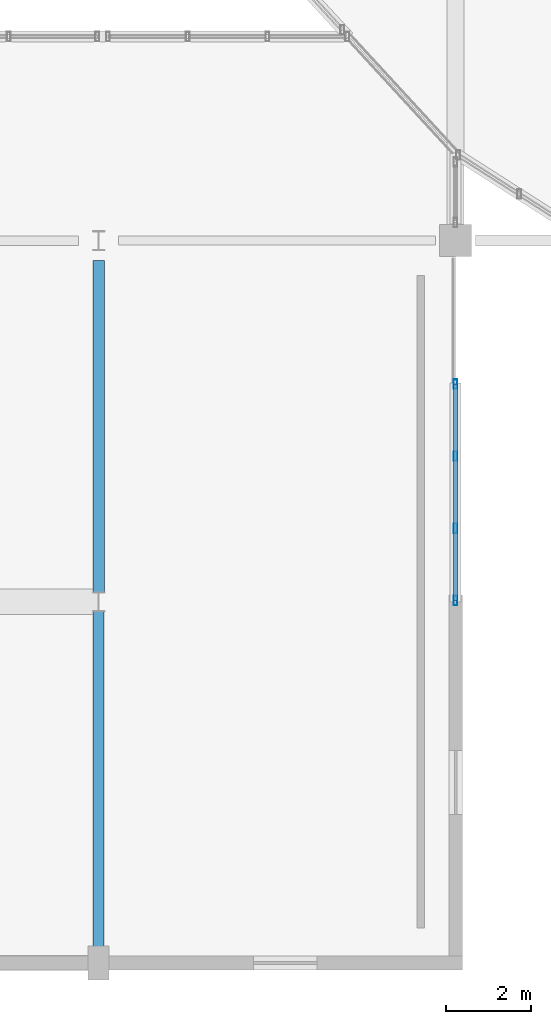
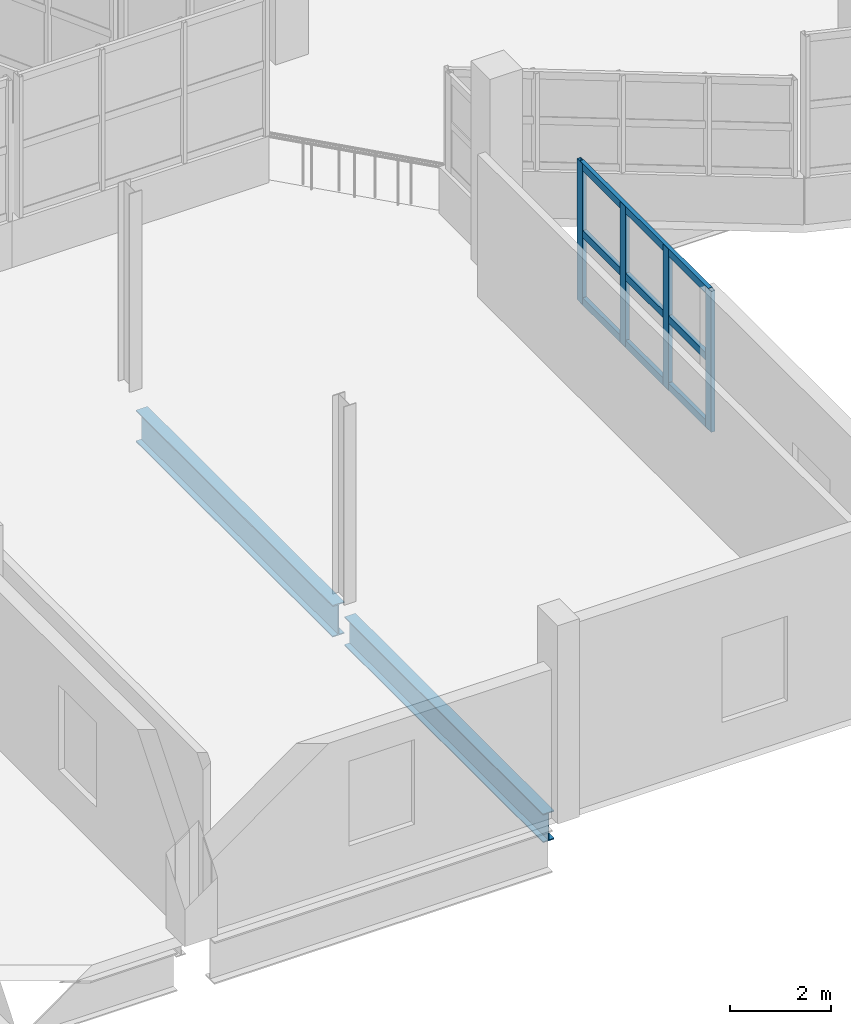
# One storey, part 8 of 117: 7 members, 2 beams, 1 element without a shape of its own.
"""IFC4 building model written with IfcOpenShell, lengths in metres."""

from ifc_helpers import new_model, si_unit, direction, frame, origin, origin_2d, place, context, subcontext, project, spatial, hollow_rectangle, i_section, extrude, material, material_profile, profile_set, type_object, element, aggregate, save


model = new_model("IFC4")

# Units and contexts
model_context = context("Model", 3, precision=1e-05, world=origin(), true_north=direction((0.0, 1.0)))
body_context = subcontext(model_context, "Body", "Model", "MODEL_VIEW")
ifc_project = project(units=[si_unit("LENGTHUNIT", "METRE"), si_unit("AREAUNIT", "SQUARE_METRE"), si_unit("VOLUMEUNIT", "CUBIC_METRE"), si_unit("PLANEANGLEUNIT", "RADIAN"), si_unit("MASSUNIT", "GRAM", prefix="KILO")], contexts=[model_context])

# Site, building, storey
site_placement = place(None, origin())
site = spatial("IfcSite", under=ifc_project, at=site_placement, CompositionType="ELEMENT")
building_placement = place(site_placement, origin())
building = spatial("IfcBuilding", under=site, at=building_placement, Name="Solvento Point Concert Hall", CompositionType="ELEMENT")
storey_placement = place(building_placement, frame((0.0, 0.0, 5.39990234375)))
storey = spatial("IfcBuildingStorey", under=building, at=storey_placement, Name="L01", CompositionType="ELEMENT", Elevation=5.39990234375)

# Beams
ifc_material_1 = material(Name="Structural Steel ASTM A992 Grade 50", Category="steel")
ifc_material_profile_1 = material_profile(ifc_material_1, i_section(OverallWidth=0.256103515625, OverallDepth=0.693115234375, WebThickness=0.014404296875, FlangeThickness=0.023681640625, at=origin_2d()), Name="W27X114")
ifc_profile_set_1 = profile_set([ifc_material_profile_1], Name="Structural Steel ASTM A992 Grade 50")
beam_type_1 = type_object("IfcBeamType", Name="Girder_W27X114", PredefinedType="USERDEFINED", material=ifc_profile_set_1)
beam_1_placement = place(storey_placement, frame((32.39990234375, 0.39404296875, -0.63037109375), z_axis=(0.0, 1.0, 0.0), x_axis=(-1.0, 0.0, 0.0)))
element("IfcBeam", 1, at=beam_1_placement, inside=storey, type_object=beam_type_1, Name="Primary girder B-23 L01", ObjectType="GIRDER", PredefinedType="USERDEFINED", context=body_context, shape_type="SweptSolid", body=[
    extrude(i_section(OverallWidth=0.256103515625, OverallDepth=0.693115234375, WebThickness=0.014404296875, FlangeThickness=0.023681640625, at=origin_2d()), origin(), (0.0, 0.0, 1.0), 7.88037109375),
])
ifc_material_2 = material(Name="Structural Steel ASTM A992 Grade 50", Category="steel")
ifc_material_profile_2 = material_profile(ifc_material_2, i_section(OverallWidth=0.26806640625, OverallDepth=0.77001953125, WebThickness=0.015625, FlangeThickness=0.025390625, at=origin_2d()), Name="W30X132")
ifc_profile_set_2 = profile_set([ifc_material_profile_2], Name="Structural Steel ASTM A992 Grade 50")
beam_type_2 = type_object("IfcBeamType", Name="Girder_W30X132", PredefinedType="USERDEFINED", material=ifc_profile_set_2)
beam_2_placement = place(storey_placement, frame((32.39990234375, 8.7255859375, -0.6689453125), z_axis=(0.0, 1.0, 0.0), x_axis=(-1.0, 0.0, 0.0)))
element("IfcBeam", 2, at=beam_2_placement, inside=storey, type_object=beam_type_2, Name="Primary girder B-68 L01", ObjectType="GIRDER", PredefinedType="USERDEFINED", context=body_context, shape_type="SweptSolid", body=[
    extrude(i_section(OverallWidth=0.26806640625, OverallDepth=0.77001953125, WebThickness=0.015625, FlangeThickness=0.025390625, at=origin_2d()), origin(), (0.0, 0.0, 1.0), 7.805419921875),
])

# Curtain wall, members
ifc_material_3 = material(Name="Anodized Bronze Aluminium", Category="aluminium")
curtain_wall_type = type_object("IfcCurtainWallType", Name="CurtainWall_RingRibbon_L01_02", PredefinedType="USERDEFINED", material=ifc_material_3)
curtain_wall_placement = place(storey_placement, origin())
curtain_wall = element("IfcCurtainWall", 3, at=curtain_wall_placement, inside=storey, type_object=curtain_wall_type, Name="Unitised curtain wall CW-59 UCW-L01-117", ObjectType="UNITISED CURTAIN WALL", PredefinedType="USERDEFINED")
ifc_material_4 = material(Name="Anodized Bronze Aluminium", Category="aluminium")
ifc_material_profile_3 = material_profile(ifc_material_4, hollow_rectangle(XDim=0.090087890625, YDim=0.219970703125, WallThickness=0.00439453125, at=origin_2d()), Name="CW-MUL-90X220")
ifc_profile_set_3 = profile_set([ifc_material_profile_3], Name="Anodized Bronze Aluminium")
member_type_1 = type_object("IfcMemberType", Name="Mullion_90x220", PredefinedType="MULLION", material=ifc_profile_set_3)
member_1_placement = place(storey_placement, frame((40.800048828125, 8.530029296875, 1.1201171875), z_axis=(0.0, 0.0, 1.0), x_axis=(1.0, 0.0, 0.0)))
member_1 = element("IfcMember", 4, at=member_1_placement, type_object=member_type_1, Name="Curtain wall mullion ML-02", PredefinedType="MULLION", context=body_context, shape_type="SweptSolid", body=[
    extrude(hollow_rectangle(XDim=0.090087890625, YDim=0.219970703125, WallThickness=0.00439453125, at=origin_2d()), origin(), (0.0, 0.0, 1.0), 3.409912109375),
])
member_2_placement = place(storey_placement, frame((40.800048828125, 10.228271484375, 1.1201171875), z_axis=(0.0, 0.0, 1.0), x_axis=(1.0, 0.0, 0.0)))
member_2 = element("IfcMember", 5, at=member_2_placement, type_object=member_type_1, Name="Curtain wall mullion ML-02", PredefinedType="MULLION", context=body_context, shape_type="SweptSolid", body=[
    extrude(hollow_rectangle(XDim=0.090087890625, YDim=0.219970703125, WallThickness=0.00439453125, at=origin_2d()), origin(), (0.0, 0.0, 1.0), 3.409912109375),
])
member_3_placement = place(storey_placement, frame((40.800048828125, 11.9267578125, 1.1201171875), z_axis=(0.0, 0.0, 1.0), x_axis=(1.0, 0.0, 0.0)))
member_3 = element("IfcMember", 6, at=member_3_placement, type_object=member_type_1, Name="Curtain wall mullion ML-02", PredefinedType="MULLION", context=body_context, shape_type="SweptSolid", body=[
    extrude(hollow_rectangle(XDim=0.090087890625, YDim=0.219970703125, WallThickness=0.00439453125, at=origin_2d()), origin(), (0.0, 0.0, 1.0), 3.409912109375),
])
member_4_placement = place(storey_placement, frame((40.800048828125, 13.625, 1.1201171875), z_axis=(0.0, 0.0, 1.0), x_axis=(1.0, 0.0, 0.0)))
member_4 = element("IfcMember", 7, at=member_4_placement, type_object=member_type_1, Name="Curtain wall mullion ML-02", PredefinedType="MULLION", context=body_context, shape_type="SweptSolid", body=[
    extrude(hollow_rectangle(XDim=0.090087890625, YDim=0.219970703125, WallThickness=0.00439453125, at=origin_2d()), origin(), (0.0, 0.0, 1.0), 3.409912109375),
])
ifc_material_5 = material(Name="Anodized Bronze Aluminium", Category="aluminium")
ifc_material_profile_4 = material_profile(ifc_material_5, hollow_rectangle(XDim=0.090087890625, YDim=0.179931640625, WallThickness=0.00439453125, at=origin_2d()), Name="CW-TRN-90X180")
ifc_profile_set_4 = profile_set([ifc_material_profile_4], Name="Anodized Bronze Aluminium")
member_type_2 = type_object("IfcMemberType", Name="Transom_90x180", PredefinedType="USERDEFINED", material=ifc_profile_set_4)
member_5_placement = place(storey_placement, frame((40.800048828125, 8.530029296875, 1.2001953125), z_axis=(0.0, 1.0, 0.0), x_axis=(-1.0, 0.0, 0.0)))
member_5 = element("IfcMember", 8, at=member_5_placement, type_object=member_type_2, Name="Curtain wall transom TR-02", ObjectType="TRANSOM", PredefinedType="USERDEFINED", context=body_context, shape_type="SweptSolid", body=[
    extrude(hollow_rectangle(XDim=0.090087890625, YDim=0.179931640625, WallThickness=0.00439453125, at=origin_2d()), origin(), (0.0, 0.0, 1.0), 5.094970703125),
])
member_6_placement = place(storey_placement, frame((40.800048828125, 8.530029296875, 2.8251953125), z_axis=(0.0, 1.0, 0.0), x_axis=(-1.0, 0.0, 0.0)))
member_6 = element("IfcMember", 9, at=member_6_placement, type_object=member_type_2, Name="Curtain wall transom TR-02", ObjectType="TRANSOM", PredefinedType="USERDEFINED", context=body_context, shape_type="SweptSolid", body=[
    extrude(hollow_rectangle(XDim=0.090087890625, YDim=0.179931640625, WallThickness=0.00439453125, at=origin_2d()), origin(), (0.0, 0.0, 1.0), 5.094970703125),
])
member_7_placement = place(storey_placement, frame((40.800048828125, 8.530029296875, 4.4501953125), z_axis=(0.0, 1.0, 0.0), x_axis=(-1.0, 0.0, 0.0)))
member_7 = element("IfcMember", 10, at=member_7_placement, type_object=member_type_2, Name="Curtain wall transom TR-02", ObjectType="TRANSOM", PredefinedType="USERDEFINED", context=body_context, shape_type="SweptSolid", body=[
    extrude(hollow_rectangle(XDim=0.090087890625, YDim=0.179931640625, WallThickness=0.00439453125, at=origin_2d()), origin(), (0.0, 0.0, 1.0), 5.094970703125),
])
aggregate(curtain_wall, [member_1, member_2, member_3, member_4, member_5, member_6, member_7])

save(model, "model.ifc")
